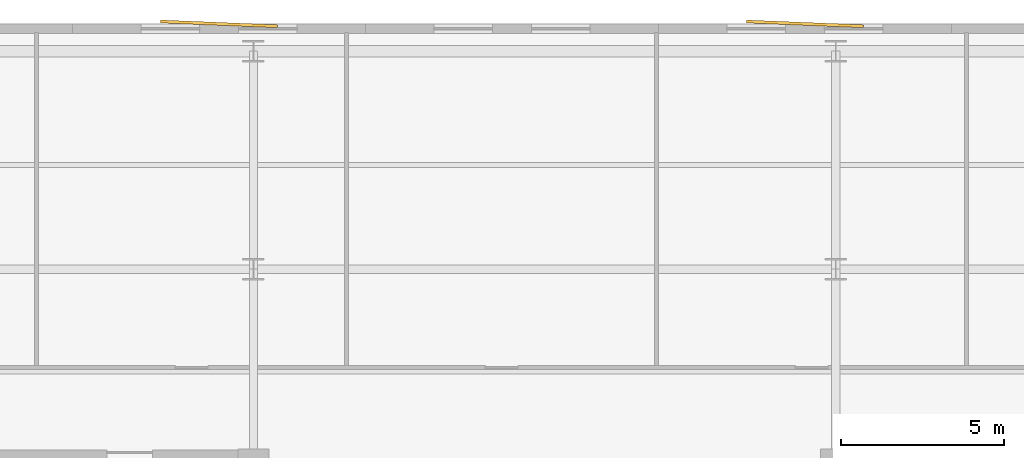
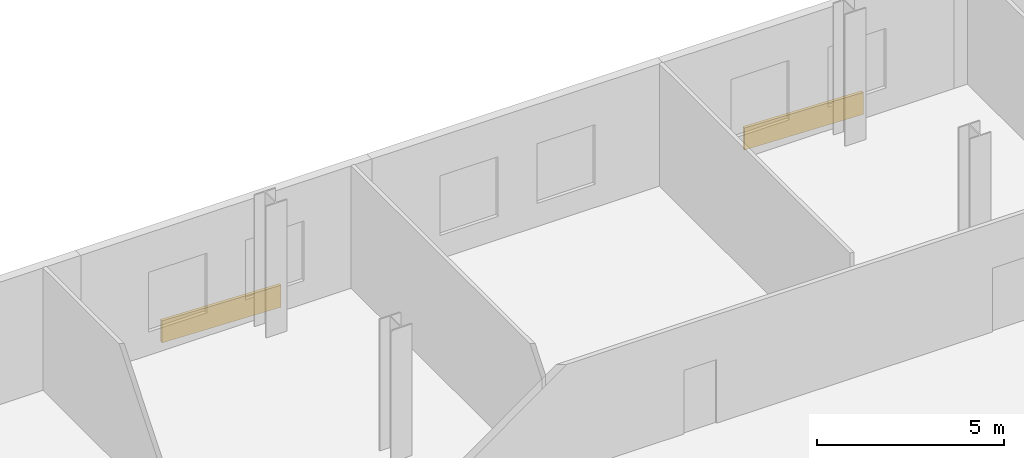
# One storey, part 9 of 9: 2 coverings.
"""IFC4 building model written with IfcOpenShell, lengths in metres."""

import ifcopenshell
import ifcopenshell.guid

model = None  # the IFC model being written
_history = None  # IfcOwnerHistory: only IFC2X3 demands one
_inside = {}  # id of a spatial element -> (the spatial element, [elements in it])
_under = {}  # id of a project, library or spatial element -> (it, [spatial elements below it])
_declared = {}  # id of a project -> (the project, [libraries it declares])
_typed = {}  # id of a type object -> (the type object, [elements of that type])
_made_of = {}  # id of a material, layer set ... -> (it, [elements and type objects made of it])


def new_model(schema):
    """Start an empty IFC model of exactly this schema.

    Asked for "IFC4X3", IfcOpenShell would pick the latest addendum, in which some entities
    have other attributes; the version numbers below select the first issue.
    IFC2X3 requires an IfcOwnerHistory on every rooted entity: one is made here for all.
    """
    global model, _history
    if schema == "IFC4X3":
        model = ifcopenshell.file(schema_version=(4, 3, 0, 0))
    else:
        model = ifcopenshell.file(schema=schema)
    _inside.clear()
    _under.clear()
    _declared.clear()
    _typed.clear()
    _made_of.clear()
    _history = None
    if model.schema == "IFC2X3":
        org = make("IfcOrganization", Name="unknown")
        user = make(
            "IfcPersonAndOrganization",
            ThePerson=make("IfcPerson", FamilyName="unknown"),
            TheOrganization=org,
        )
        app = make(
            "IfcApplication",
            ApplicationDeveloper=org,
            Version="unknown",
            ApplicationFullName="unknown",
            ApplicationIdentifier="unknown",
        )
        _history = make(
            "IfcOwnerHistory",
            OwningUser=user,
            OwningApplication=app,
            ChangeAction="ADDED",
            CreationDate=0,
        )
    return model


def make(cls, **values):
    """One entity of the class cls with the attributes given. An attribute that is None is left unset."""
    return model.create_entity(
        cls, **{name: value for name, value in values.items() if value is not None}
    )


def rooted(cls, **values):
    """An entity with a GlobalId (a new one), such as an element, a storey or a relation."""
    return make(cls, GlobalId=ifcopenshell.guid.new(), OwnerHistory=_history, **values)


def si_unit(unit_type, name, prefix=None):
    """IfcSIUnit, for example si_unit("LENGTHUNIT", "METRE", prefix="MILLI")."""
    return make("IfcSIUnit", UnitType=unit_type, Prefix=prefix, Name=name)


def assignment(units):
    """IfcUnitAssignment: the units of a project."""
    return None if units is None else make("IfcUnitAssignment", Units=units)


def point(xyz):
    """IfcCartesianPoint."""
    return None if xyz is None else make("IfcCartesianPoint", Coordinates=xyz)


def direction(xyz):
    """IfcDirection."""
    return None if xyz is None else make("IfcDirection", DirectionRatios=xyz)


def frame(location, z_axis=None, x_axis=None):
    """IfcAxis2Placement3D, a coordinate frame: its origin and axes. An axis left out is left unset."""
    return make(
        "IfcAxis2Placement3D",
        Location=point(location),
        Axis=direction(z_axis),
        RefDirection=direction(x_axis),
    )


def frame_2d(location, x_axis=None):
    """IfcAxis2Placement2D, a coordinate frame in the plane: its origin and x axis."""
    return make(
        "IfcAxis2Placement2D", Location=point(location), RefDirection=direction(x_axis)
    )


def origin():
    """The frame at (0, 0, 0) with its axes left unset."""
    return frame((0.0, 0.0, 0.0))


def origin_2d():
    """The frame at (0, 0) in the plane with its x axis left unset."""
    return frame_2d((0.0, 0.0))


def place(relative_to, where):
    """IfcLocalPlacement: puts the frame where relative to a parent placement (None: the world)."""
    return make(
        "IfcLocalPlacement", PlacementRelTo=relative_to, RelativePlacement=where
    )


def context(
    kind, dimensions, precision=None, world=None, true_north=None, identifier=None
):
    """IfcGeometricRepresentationContext, for example the 3D "Model" context."""
    return make(
        "IfcGeometricRepresentationContext",
        ContextIdentifier=identifier,
        ContextType=kind,
        CoordinateSpaceDimension=dimensions,
        Precision=precision,
        WorldCoordinateSystem=world,
        TrueNorth=true_north,
    )


def subcontext(parent, identifier, kind, view, scale=None):
    """IfcGeometricRepresentationSubContext, for example "Body" below "Model"."""
    return make(
        "IfcGeometricRepresentationSubContext",
        ContextIdentifier=identifier,
        ContextType=kind,
        ParentContext=parent,
        TargetScale=scale,
        TargetView=view,
    )


def project(units=None, contexts=None):
    """IfcProject with its units and contexts."""
    return rooted(
        "IfcProject",
        Name="project",
        RepresentationContexts=contexts,
        UnitsInContext=assignment(units),
    )


def spatial(cls, under=None, at=None, **own):
    """A site, building, storey or space (cls), placed at a placement, below another one or the project."""
    s = rooted(cls, ObjectPlacement=at, **own)
    if under is not None:
        _under.setdefault(under.id(), (under, []))[1].append(s)
    return s


def profile(cls, at=None, kind="AREA", **sizes):
    """A parametric profile (cls). Its sizes go by their IFC names, for example OverallWidth=200.0."""
    return make(cls, ProfileType=kind, Position=at, **sizes)


def rectangle(**sizes):
    """IfcRectangleProfileDef."""
    return profile("IfcRectangleProfileDef", **sizes)


def extrude(swept, where, along, depth):
    """IfcExtrudedAreaSolid: the profile swept, set in the frame where, extruded along a direction by depth."""
    return make(
        "IfcExtrudedAreaSolid",
        SweptArea=swept,
        Position=where,
        ExtrudedDirection=direction(along),
        Depth=depth,
    )


def shape(context_of_items, identifier, shape_type, items):
    """IfcShapeRepresentation: the items that make up one representation, for example the "Body"."""
    return make(
        "IfcShapeRepresentation",
        ContextOfItems=context_of_items,
        RepresentationIdentifier=identifier,
        RepresentationType=shape_type,
        Items=items,
    )


def material(Name=None, Category=None):
    """IfcMaterial."""
    return make("IfcMaterial", Name=Name, Category=Category)


def layer(
    of_material, thickness, ventilated=None, Name=None, Category=None, Priority=None
):
    """IfcMaterialLayer: one layer of a wall or slab, of a material (None: an air gap)."""
    return make(
        "IfcMaterialLayer",
        Material=of_material,
        LayerThickness=thickness,
        IsVentilated=ventilated,
        Name=Name,
        Category=Category,
        Priority=Priority,
    )


def layer_set(layers, Name=None):
    """IfcMaterialLayerSet."""
    return make("IfcMaterialLayerSet", MaterialLayers=layers, LayerSetName=Name)


def made_of(thing, what):
    """Note that an element or type object is made of a material, layer set ...; save() writes the relation."""
    if what is not None:
        _made_of.setdefault(what.id(), (what, []))[1].append(thing)
    return thing


def type_object(cls, material=None, **own):
    """A type object (cls), such as IfcWallType, which elements share."""
    return made_of(rooted(cls, **own), material)


def element(
    cls,
    number,
    at=None,
    inside=None,
    cuts=None,
    type_object=None,
    material=None,
    context=None,
    identifier="Body",
    shape_type=None,
    held_by="IfcProductDefinitionShape",
    body=None,
    shapes=None,
    **own,
):
    """One element of the class cls, such as IfcWall. Its Tag is "e" and its number.

    at: its placement. inside: the storey or other place that contains it. cuts: it is an
    opening in that element (IfcRelVoidsElement). A single representation is given by context,
    identifier, shape_type and body (its items); several are given by shapes. held_by: the class
    of the entity that holds the representations. save() writes the other relations.
    """
    e = rooted(cls, Tag="e%d" % number, ObjectPlacement=at, **own)
    if body is not None:
        shapes = [shape(context, identifier, shape_type, body)]
    if shapes is not None:
        e.Representation = make(held_by, Representations=shapes)
    if inside is not None:
        _inside.setdefault(inside.id(), (inside, []))[1].append(e)
    if cuts is not None:
        rooted(
            "IfcRelVoidsElement", RelatingBuildingElement=cuts, RelatedOpeningElement=e
        )
    if type_object is not None:
        _typed.setdefault(type_object.id(), (type_object, []))[1].append(e)
    return made_of(e, material)


def aggregate(whole, parts):
    """IfcRelAggregates: a whole, such as a stair, and the parts it consists of."""
    return rooted("IfcRelAggregates", RelatingObject=whole, RelatedObjects=parts)


def save(model, path):
    """Write the relations noted so far, then the file.

    IfcRelAggregates (storeys below a building ...), IfcRelContainedInSpatialStructure (elements
    in a storey), IfcRelDefinesByType, IfcRelAssociatesMaterial and IfcRelDeclares: one each for
    every whole, place, type object, material and project.
    """
    for whole, parts in _under.values():
        aggregate(whole, parts)
    for where, things in _inside.values():
        rooted(
            "IfcRelContainedInSpatialStructure",
            RelatedElements=things,
            RelatingStructure=where,
        )
    for kind, things in _typed.values():
        rooted("IfcRelDefinesByType", RelatedObjects=things, RelatingType=kind)
    for what, things in _made_of.values():
        rooted("IfcRelAssociatesMaterial", RelatedObjects=things, RelatingMaterial=what)
    for by, libraries in _declared.values():
        rooted("IfcRelDeclares", RelatingContext=by, RelatedDefinitions=libraries)
    model.write(path)


model = new_model("IFC4")

# Units and contexts
model_context = context("Model", 3, precision=1e-05, world=origin(), true_north=direction((0.0, 1.0)))
body_context = subcontext(model_context, "Body", "Model", "MODEL_VIEW")
ifc_project = project(units=[si_unit("LENGTHUNIT", "METRE"), si_unit("AREAUNIT", "SQUARE_METRE"), si_unit("VOLUMEUNIT", "CUBIC_METRE"), si_unit("PLANEANGLEUNIT", "RADIAN"), si_unit("MASSUNIT", "GRAM", prefix="KILO")], contexts=[model_context])

# Site, building, storey
site_placement = place(None, origin())
site = spatial("IfcSite", under=ifc_project, at=site_placement, CompositionType="ELEMENT")
building_placement = place(site_placement, origin())
building = spatial("IfcBuilding", under=site, at=building_placement, Name="Velakula Bourse", CompositionType="ELEMENT")
storey_placement = place(building_placement, frame((0.0, 0.0, 151.89990234375)))
storey = spatial("IfcBuildingStorey", under=building, at=storey_placement, Name="L41", CompositionType="ELEMENT", Elevation=151.89990234375)

# Coverings
ifc_material = material(Name="Red kilned clay facing brick masonry", Category="masonry")
ifc_layer = layer(ifc_material, 0.090087890625, Name="Red kilned clay facing brick masonry", Category="masonry")
ifc_layer_set = layer_set([ifc_layer], Name="Red kilned clay facing brick masonry")
covering_type = type_object("IfcCoveringType", Name="COV-BRK-FOLD-90", PredefinedType="CLADDING", material=ifc_layer_set)
for number, where, z_axis, x_axis, name in (
    (1, (-10.0, 22.139892578125, 0.0), (0.0, 0.0, 1.0), (0.999158993058, -0.041003738744, 0.0), "L41 Folded Brick Facade Cladding Panel N-B2"),
    (2, (8.0, 22.139892578125, 0.0), (0.0, 0.0, 1.0), (0.999158993058, -0.041003738744, 0.0), "L41 Folded Brick Facade Cladding Panel N-B4"),
):
    element("IfcCovering", number, at=place(storey_placement, frame(where, z_axis=z_axis, x_axis=x_axis)), inside=storey, type_object=covering_type, Name=name, PredefinedType="CLADDING", context=body_context, shape_type="SweptSolid", body=[
        extrude(rectangle(XDim=3.60009765625, YDim=0.090087890625, at=origin_2d()), origin(), (0.0, 0.0, 1.0), 0.719970703125),
    ])

save(model, "model.ifc")
